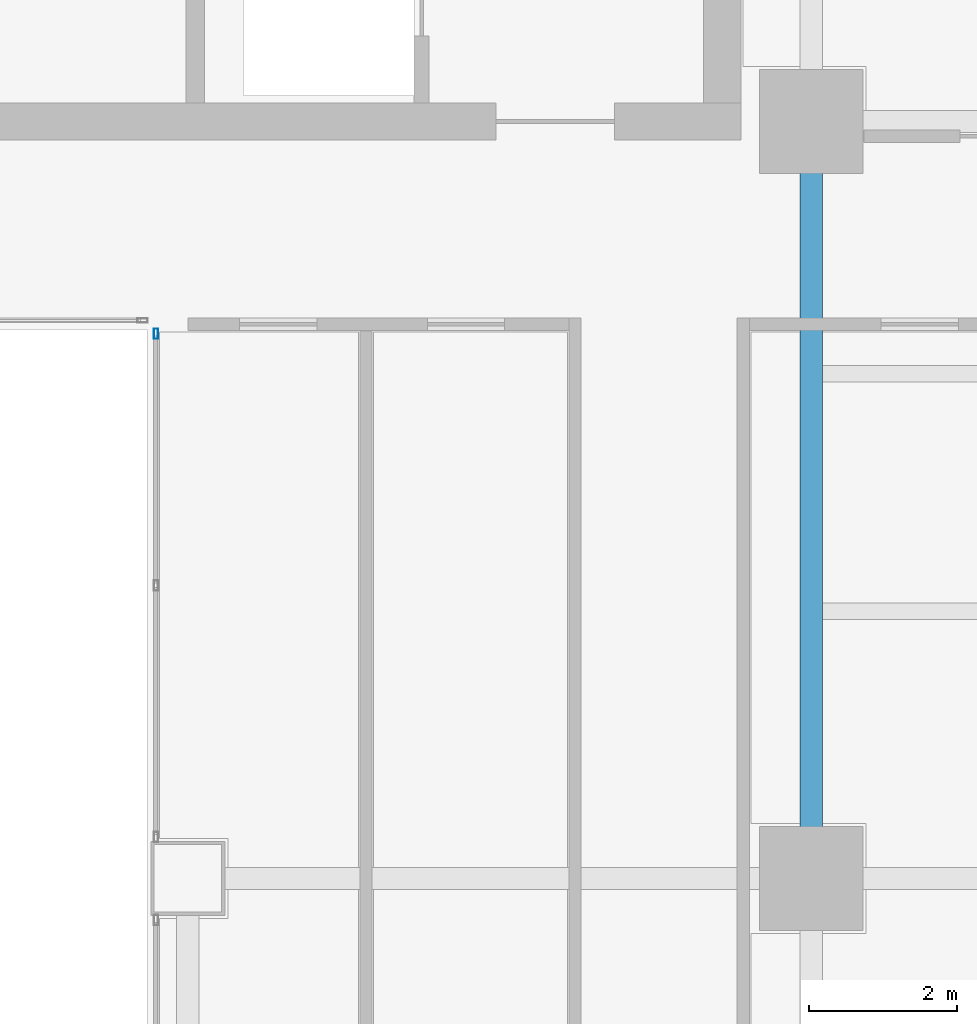
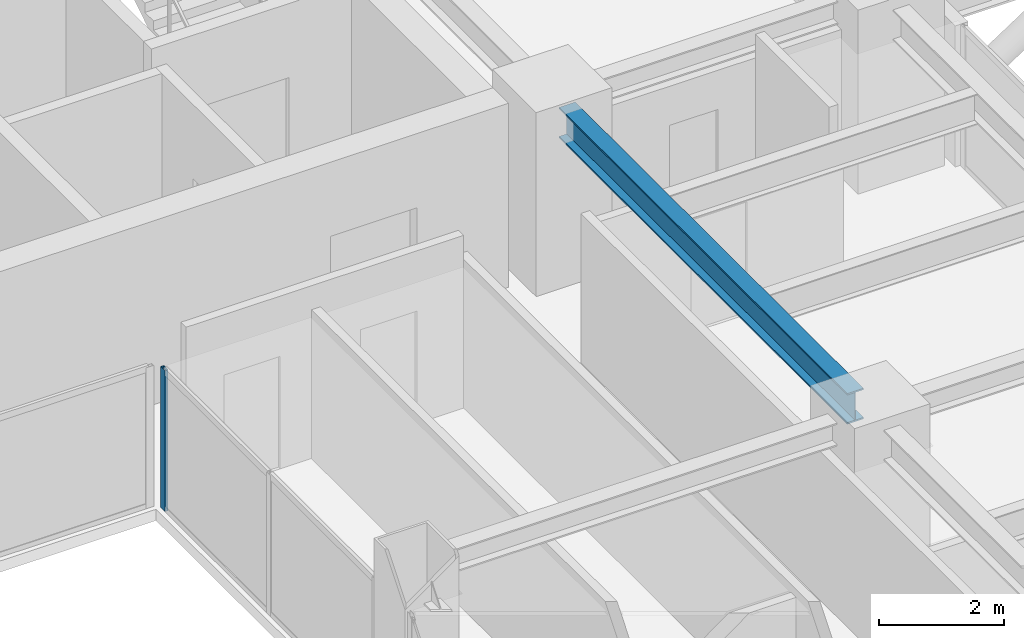
# One storey, part 17 of 31: 1 beam, 1 member, 1 element without a shape of its own.
"""IFC4 building model written with IfcOpenShell, lengths in metres."""

import ifcopenshell
import ifcopenshell.guid

model = None  # the IFC model being written
_history = None  # IfcOwnerHistory: only IFC2X3 demands one
_inside = {}  # id of a spatial element -> (the spatial element, [elements in it])
_under = {}  # id of a project, library or spatial element -> (it, [spatial elements below it])
_declared = {}  # id of a project -> (the project, [libraries it declares])
_typed = {}  # id of a type object -> (the type object, [elements of that type])
_made_of = {}  # id of a material, layer set ... -> (it, [elements and type objects made of it])


def new_model(schema):
    """Start an empty IFC model of exactly this schema.

    Asked for "IFC4X3", IfcOpenShell would pick the latest addendum, in which some entities
    have other attributes; the version numbers below select the first issue.
    IFC2X3 requires an IfcOwnerHistory on every rooted entity: one is made here for all.
    """
    global model, _history
    if schema == "IFC4X3":
        model = ifcopenshell.file(schema_version=(4, 3, 0, 0))
    else:
        model = ifcopenshell.file(schema=schema)
    _inside.clear()
    _under.clear()
    _declared.clear()
    _typed.clear()
    _made_of.clear()
    _history = None
    if model.schema == "IFC2X3":
        org = make("IfcOrganization", Name="unknown")
        user = make(
            "IfcPersonAndOrganization",
            ThePerson=make("IfcPerson", FamilyName="unknown"),
            TheOrganization=org,
        )
        app = make(
            "IfcApplication",
            ApplicationDeveloper=org,
            Version="unknown",
            ApplicationFullName="unknown",
            ApplicationIdentifier="unknown",
        )
        _history = make(
            "IfcOwnerHistory",
            OwningUser=user,
            OwningApplication=app,
            ChangeAction="ADDED",
            CreationDate=0,
        )
    return model


def make(cls, **values):
    """One entity of the class cls with the attributes given. An attribute that is None is left unset."""
    return model.create_entity(
        cls, **{name: value for name, value in values.items() if value is not None}
    )


def rooted(cls, **values):
    """An entity with a GlobalId (a new one), such as an element, a storey or a relation."""
    return make(cls, GlobalId=ifcopenshell.guid.new(), OwnerHistory=_history, **values)


def si_unit(unit_type, name, prefix=None):
    """IfcSIUnit, for example si_unit("LENGTHUNIT", "METRE", prefix="MILLI")."""
    return make("IfcSIUnit", UnitType=unit_type, Prefix=prefix, Name=name)


def assignment(units):
    """IfcUnitAssignment: the units of a project."""
    return None if units is None else make("IfcUnitAssignment", Units=units)


def point(xyz):
    """IfcCartesianPoint."""
    return None if xyz is None else make("IfcCartesianPoint", Coordinates=xyz)


def direction(xyz):
    """IfcDirection."""
    return None if xyz is None else make("IfcDirection", DirectionRatios=xyz)


def frame(location, z_axis=None, x_axis=None):
    """IfcAxis2Placement3D, a coordinate frame: its origin and axes. An axis left out is left unset."""
    return make(
        "IfcAxis2Placement3D",
        Location=point(location),
        Axis=direction(z_axis),
        RefDirection=direction(x_axis),
    )


def frame_2d(location, x_axis=None):
    """IfcAxis2Placement2D, a coordinate frame in the plane: its origin and x axis."""
    return make(
        "IfcAxis2Placement2D", Location=point(location), RefDirection=direction(x_axis)
    )


def origin():
    """The frame at (0, 0, 0) with its axes left unset."""
    return frame((0.0, 0.0, 0.0))


def origin_2d():
    """The frame at (0, 0) in the plane with its x axis left unset."""
    return frame_2d((0.0, 0.0))


def place(relative_to, where):
    """IfcLocalPlacement: puts the frame where relative to a parent placement (None: the world)."""
    return make(
        "IfcLocalPlacement", PlacementRelTo=relative_to, RelativePlacement=where
    )


def context(
    kind, dimensions, precision=None, world=None, true_north=None, identifier=None
):
    """IfcGeometricRepresentationContext, for example the 3D "Model" context."""
    return make(
        "IfcGeometricRepresentationContext",
        ContextIdentifier=identifier,
        ContextType=kind,
        CoordinateSpaceDimension=dimensions,
        Precision=precision,
        WorldCoordinateSystem=world,
        TrueNorth=true_north,
    )


def subcontext(parent, identifier, kind, view, scale=None):
    """IfcGeometricRepresentationSubContext, for example "Body" below "Model"."""
    return make(
        "IfcGeometricRepresentationSubContext",
        ContextIdentifier=identifier,
        ContextType=kind,
        ParentContext=parent,
        TargetScale=scale,
        TargetView=view,
    )


def project(units=None, contexts=None):
    """IfcProject with its units and contexts."""
    return rooted(
        "IfcProject",
        Name="project",
        RepresentationContexts=contexts,
        UnitsInContext=assignment(units),
    )


def spatial(cls, under=None, at=None, **own):
    """A site, building, storey or space (cls), placed at a placement, below another one or the project."""
    s = rooted(cls, ObjectPlacement=at, **own)
    if under is not None:
        _under.setdefault(under.id(), (under, []))[1].append(s)
    return s


def profile(cls, at=None, kind="AREA", **sizes):
    """A parametric profile (cls). Its sizes go by their IFC names, for example OverallWidth=200.0."""
    return make(cls, ProfileType=kind, Position=at, **sizes)


def hollow_rectangle(**sizes):
    """IfcRectangleHollowProfileDef."""
    return profile("IfcRectangleHollowProfileDef", **sizes)


def i_section(**sizes):
    """IfcIShapeProfileDef."""
    return profile("IfcIShapeProfileDef", **sizes)


def extrude(swept, where, along, depth):
    """IfcExtrudedAreaSolid: the profile swept, set in the frame where, extruded along a direction by depth."""
    return make(
        "IfcExtrudedAreaSolid",
        SweptArea=swept,
        Position=where,
        ExtrudedDirection=direction(along),
        Depth=depth,
    )


def shape(context_of_items, identifier, shape_type, items):
    """IfcShapeRepresentation: the items that make up one representation, for example the "Body"."""
    return make(
        "IfcShapeRepresentation",
        ContextOfItems=context_of_items,
        RepresentationIdentifier=identifier,
        RepresentationType=shape_type,
        Items=items,
    )


def source(mapping_origin, context_of_items, identifier, shape_type, items):
    """IfcRepresentationMap: a shape defined once, which mapped items show again and again."""
    return make(
        "IfcRepresentationMap",
        MappingOrigin=mapping_origin,
        MappedRepresentation=shape(context_of_items, identifier, shape_type, items),
    )


def transform(
    local_origin,
    x_axis=None,
    y_axis=None,
    z_axis=None,
    scale=None,
    scale2=None,
    scale3=None,
    uniform=True,
):
    """IfcCartesianTransformationOperator3D, or its non-uniform kind. x_axis, y_axis, z_axis: its Axis1, 2, 3."""
    if uniform:
        return make(
            "IfcCartesianTransformationOperator3D",
            Axis1=direction(x_axis),
            Axis2=direction(y_axis),
            LocalOrigin=point(local_origin),
            Scale=scale,
            Axis3=direction(z_axis),
        )
    return make(
        "IfcCartesianTransformationOperator3DnonUniform",
        Axis1=direction(x_axis),
        Axis2=direction(y_axis),
        LocalOrigin=point(local_origin),
        Scale=scale,
        Axis3=direction(z_axis),
        Scale2=scale2,
        Scale3=scale3,
    )


def mapped(mapping_source, mapping_target):
    """IfcMappedItem: shows the shape of a source again, moved by a transform."""
    return make(
        "IfcMappedItem", MappingSource=mapping_source, MappingTarget=mapping_target
    )


def material(Name=None, Category=None):
    """IfcMaterial."""
    return make("IfcMaterial", Name=Name, Category=Category)


def layer(
    of_material, thickness, ventilated=None, Name=None, Category=None, Priority=None
):
    """IfcMaterialLayer: one layer of a wall or slab, of a material (None: an air gap)."""
    return make(
        "IfcMaterialLayer",
        Material=of_material,
        LayerThickness=thickness,
        IsVentilated=ventilated,
        Name=Name,
        Category=Category,
        Priority=Priority,
    )


def layer_set(layers, Name=None):
    """IfcMaterialLayerSet."""
    return make("IfcMaterialLayerSet", MaterialLayers=layers, LayerSetName=Name)


def material_profile(
    of_material, cross_section, Name=None, Category=None, Priority=None
):
    """IfcMaterialProfile: a cross section and its material."""
    return make(
        "IfcMaterialProfile",
        Name=Name,
        Material=of_material,
        Profile=cross_section,
        Priority=Priority,
        Category=Category,
    )


def profile_set(profiles, Name=None, composite=None):
    """IfcMaterialProfileSet."""
    return make(
        "IfcMaterialProfileSet",
        Name=Name,
        MaterialProfiles=profiles,
        CompositeProfile=composite,
    )


def made_of(thing, what):
    """Note that an element or type object is made of a material, layer set ...; save() writes the relation."""
    if what is not None:
        _made_of.setdefault(what.id(), (what, []))[1].append(thing)
    return thing


def type_object(cls, material=None, **own):
    """A type object (cls), such as IfcWallType, which elements share."""
    return made_of(rooted(cls, **own), material)


def element(
    cls,
    number,
    at=None,
    inside=None,
    cuts=None,
    type_object=None,
    material=None,
    context=None,
    identifier="Body",
    shape_type=None,
    held_by="IfcProductDefinitionShape",
    body=None,
    shapes=None,
    **own,
):
    """One element of the class cls, such as IfcWall. Its Tag is "e" and its number.

    at: its placement. inside: the storey or other place that contains it. cuts: it is an
    opening in that element (IfcRelVoidsElement). A single representation is given by context,
    identifier, shape_type and body (its items); several are given by shapes. held_by: the class
    of the entity that holds the representations. save() writes the other relations.
    """
    e = rooted(cls, Tag="e%d" % number, ObjectPlacement=at, **own)
    if body is not None:
        shapes = [shape(context, identifier, shape_type, body)]
    if shapes is not None:
        e.Representation = make(held_by, Representations=shapes)
    if inside is not None:
        _inside.setdefault(inside.id(), (inside, []))[1].append(e)
    if cuts is not None:
        rooted(
            "IfcRelVoidsElement", RelatingBuildingElement=cuts, RelatedOpeningElement=e
        )
    if type_object is not None:
        _typed.setdefault(type_object.id(), (type_object, []))[1].append(e)
    return made_of(e, material)


def aggregate(whole, parts):
    """IfcRelAggregates: a whole, such as a stair, and the parts it consists of."""
    return rooted("IfcRelAggregates", RelatingObject=whole, RelatedObjects=parts)


def save(model, path):
    """Write the relations noted so far, then the file.

    IfcRelAggregates (storeys below a building ...), IfcRelContainedInSpatialStructure (elements
    in a storey), IfcRelDefinesByType, IfcRelAssociatesMaterial and IfcRelDeclares: one each for
    every whole, place, type object, material and project.
    """
    for whole, parts in _under.values():
        aggregate(whole, parts)
    for where, things in _inside.values():
        rooted(
            "IfcRelContainedInSpatialStructure",
            RelatedElements=things,
            RelatingStructure=where,
        )
    for kind, things in _typed.values():
        rooted("IfcRelDefinesByType", RelatedObjects=things, RelatingType=kind)
    for what, things in _made_of.values():
        rooted("IfcRelAssociatesMaterial", RelatedObjects=things, RelatingMaterial=what)
    for by, libraries in _declared.values():
        rooted("IfcRelDeclares", RelatingContext=by, RelatedDefinitions=libraries)
    model.write(path)


model = new_model("IFC4")

# Units and contexts
model_context = context("Model", 3, precision=1e-05, world=origin(), true_north=direction((0.0, 1.0)))
body_context = subcontext(model_context, "Body", "Model", "MODEL_VIEW")
ifc_project = project(units=[si_unit("LENGTHUNIT", "METRE"), si_unit("AREAUNIT", "SQUARE_METRE"), si_unit("VOLUMEUNIT", "CUBIC_METRE"), si_unit("PLANEANGLEUNIT", "RADIAN"), si_unit("MASSUNIT", "GRAM", prefix="KILO")], contexts=[model_context])

# Site, building, storey
site_placement = place(None, origin())
site = spatial("IfcSite", under=ifc_project, at=site_placement, CompositionType="ELEMENT")
building_placement = place(site_placement, origin())
building = spatial("IfcBuilding", under=site, at=building_placement, Name="Sumidabori Civic Tower", CompositionType="ELEMENT")
storey_placement = place(building_placement, frame((0.0, 0.0, 221.60009765625)))
storey = spatial("IfcBuildingStorey", under=building, at=storey_placement, Name="L57", CompositionType="ELEMENT", Elevation=221.60009765625)

# Beam
ifc_material_1 = material(Name="Steel SN490", Category="steel")
ifc_material_profile_1 = material_profile(ifc_material_1, i_section(OverallWidth=0.300048828125, OverallDepth=0.60009765625, WebThickness=0.015380859375, FlangeThickness=0.030029296875, at=origin_2d()), Name="HE 600 B")
ifc_profile_set_1 = profile_set([ifc_material_profile_1], Name="Steel SN490")
beam_type = type_object("IfcBeamType", Name="BM-GIRD-600", PredefinedType="BEAM", material=ifc_profile_set_1)
shared_shape_1 = source(origin(), body_context, "Body", "SweptSolid", [
    extrude(i_section(OverallWidth=0.300048828125, OverallDepth=0.60009765625, WebThickness=0.015380859375, FlangeThickness=0.030029296875, at=origin_2d()), origin(), (0.0, 0.0, 1.0), 9.239990234375),
])
beam_placement = place(storey_placement, frame((16.800048828125, 0.47998046875, 3.079833984375), z_axis=(0.0, 1.0, 0.0), x_axis=(-1.0, 0.0, 0.0)))
element("IfcBeam", 1, at=beam_placement, inside=storey, type_object=beam_type, Name="Primary Girder L57 GY-20", PredefinedType="BEAM", context=body_context, shape_type="MappedRepresentation", body=[
    mapped(shared_shape_1, transform((0.0, 0.0, 0.0), x_axis=(1.0, 0.0, 0.0), y_axis=(0.0, 1.0, 0.0), z_axis=(0.0, 0.0, 1.0), scale=1.0)),
])

# Curtain wall, member
ifc_material_2 = material(Name="Anodised Bronze Aluminium AW-6063-T6", Category="aluminium")
ifc_layer = layer(ifc_material_2, 0.179931640625, Name="Anodised Bronze Aluminium AW-6063-T6")
ifc_layer_set = layer_set([ifc_layer], Name="Anodised Bronze Aluminium AW-6063-T6")
curtain_wall_type = type_object("IfcCurtainWallType", Name="CW-SYS-4", PredefinedType="NOTDEFINED", material=ifc_layer_set)
curtain_wall_placement = place(storey_placement, origin())
curtain_wall = element("IfcCurtainWall", 2, at=curtain_wall_placement, inside=storey, type_object=curtain_wall_type, Name="Curtain Wall CW:L57:R06", PredefinedType="NOTDEFINED")
ifc_material_profile_2 = material_profile(ifc_material_2, hollow_rectangle(XDim=0.06005859375, YDim=0.139892578125, WallThickness=0.0048828125, at=origin_2d()), Name="ALU MULLION 140x60")
ifc_profile_set_2 = profile_set([ifc_material_profile_2], Name="Anodised Bronze Aluminium AW-6063-T6")
member_type = type_object("IfcMemberType", Name="CW-MUL-140", PredefinedType="MULLION", material=ifc_profile_set_2)
shared_shape_2 = source(origin(), body_context, "Body", "SweptSolid", [
    extrude(hollow_rectangle(XDim=0.06005859375, YDim=0.139892578125, WallThickness=0.0048828125, at=origin_2d()), origin(), (0.0, 0.0, 1.0), 2.760009765625),
])
member_placement = place(storey_placement, frame((7.969970703125, 7.340087890625, 0.0), z_axis=(0.0, 0.0, 1.0), x_axis=(1.0, 0.0, 0.0)))
member = element("IfcMember", 3, at=member_placement, type_object=member_type, Name="CW-4 mullion 1", PredefinedType="MULLION", context=body_context, shape_type="MappedRepresentation", body=[
    mapped(shared_shape_2, transform((0.0, 0.0, 0.0), x_axis=(1.0, 0.0, 0.0), y_axis=(0.0, 1.0, 0.0), z_axis=(0.0, 0.0, 1.0), scale=1.0)),
])
aggregate(curtain_wall, [member])

save(model, "model.ifc")
